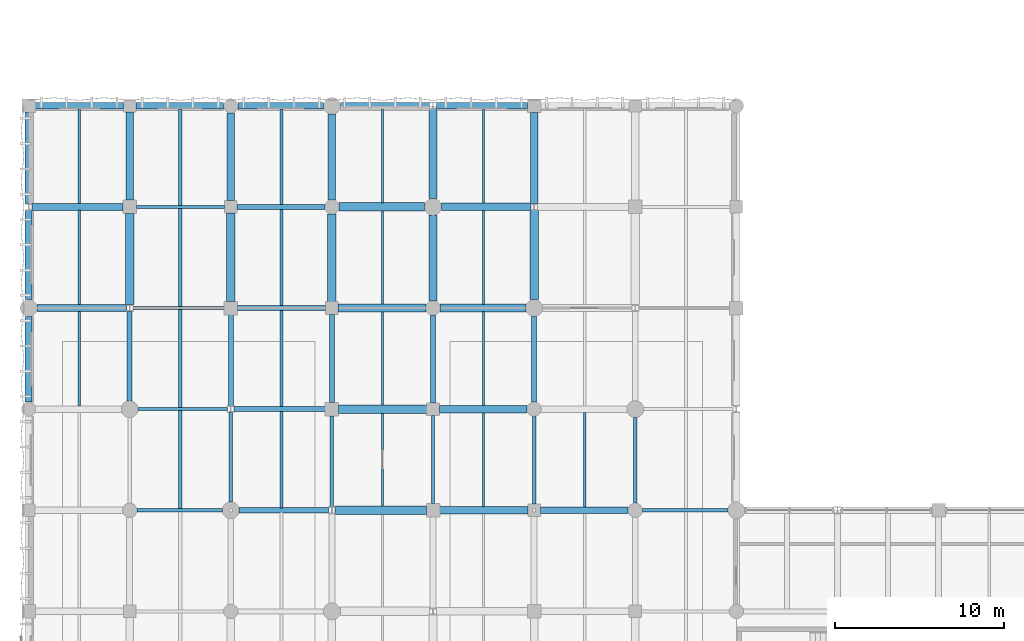
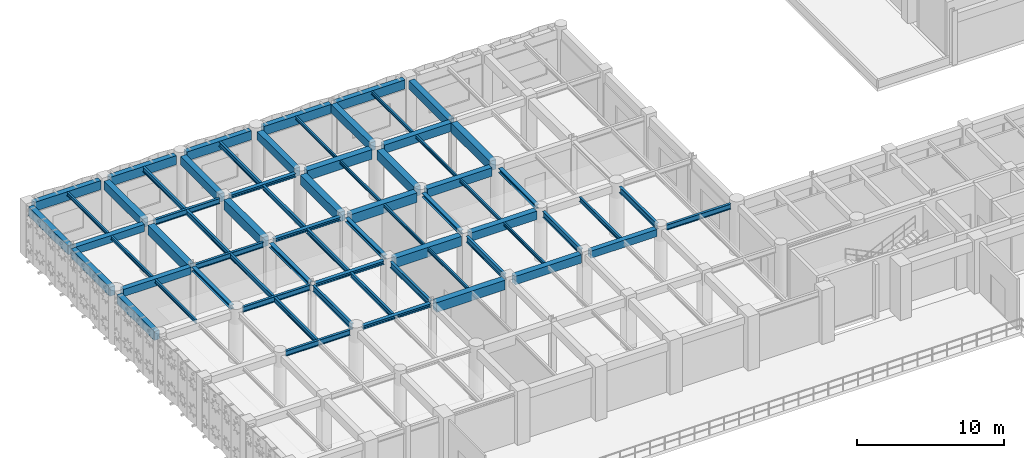
# One storey, part 33 of 133: 68 beams.
"""IFC4 building model written with IfcOpenShell, lengths in metres."""

from ifc_helpers import new_model, si_unit, direction, frame, origin, origin_2d, place, context, subcontext, project, spatial, rectangle, i_section, extrude, material, material_profile, profile_set, type_object, element, save


model = new_model("IFC4")

# Units and contexts
model_context = context("Model", 3, precision=1e-05, world=origin(), true_north=direction((0.0, 1.0)))
body_context = subcontext(model_context, "Body", "Model", "MODEL_VIEW")
ifc_project = project(units=[si_unit("LENGTHUNIT", "METRE"), si_unit("AREAUNIT", "SQUARE_METRE"), si_unit("VOLUMEUNIT", "CUBIC_METRE"), si_unit("PLANEANGLEUNIT", "RADIAN"), si_unit("MASSUNIT", "GRAM", prefix="KILO"), si_unit("THERMODYNAMICTEMPERATUREUNIT", "KELVIN"), si_unit("POWERUNIT", "WATT")], contexts=[model_context])

# Site, building, storey
site_placement = place(None, origin())
site = spatial("IfcSite", under=ifc_project, at=site_placement, CompositionType="ELEMENT")
building_placement = place(site_placement, origin())
building = spatial("IfcBuilding", under=site, at=building_placement, Name="Phaisarnlok Congress Hotel", CompositionType="ELEMENT")
storey_placement = place(building_placement, frame((0.0, 0.0, 6.0)))
storey = spatial("IfcBuildingStorey", under=building, at=storey_placement, Name="L01", CompositionType="ELEMENT", Elevation=6.0)

# Beams
ifc_material_1 = material(Name="Concrete C40/50", Category="concrete")
ifc_material_profile_1 = material_profile(ifc_material_1, rectangle(XDim=0.39990234375, YDim=0.60009765625, at=origin_2d()), Name="RC 400x600")
ifc_profile_set_1 = profile_set([ifc_material_profile_1], Name="Concrete C40/50")
beam_type_1 = type_object("IfcBeamType", Name="BM-RC-400x600", PredefinedType="BEAM", material=ifc_profile_set_1)
beam_1_placement = place(storey_placement, frame((0.4951171875, 108.0, 3.919921875), z_axis=(1.0, 0.0, 0.0), x_axis=(0.0, 1.0, 0.0)))
element("IfcBeam", 1, at=beam_1_placement, inside=storey, type_object=beam_type_1, Name="Beam B-02", PredefinedType="BEAM", context=body_context, shape_type="SweptSolid", body=[
    extrude(rectangle(XDim=0.39990234375, YDim=0.60009765625, at=origin_2d()), origin(), (0.0, 0.0, 1.0), 5.309326171875),
])
beam_2_placement = place(storey_placement, frame((0.195556640625, 114.0, 3.919921875), z_axis=(1.0, 0.0, 0.0), x_axis=(0.0, 1.0, 0.0)))
element("IfcBeam", 2, at=beam_2_placement, inside=storey, type_object=beam_type_1, Name="Beam B-02", PredefinedType="BEAM", context=body_context, shape_type="SweptSolid", body=[
    extrude(rectangle(XDim=0.39990234375, YDim=0.60009765625, at=origin_2d()), origin(), (0.0, 0.0, 1.0), 5.409423828125),
])
beam_3_placement = place(storey_placement, frame((30.3701171875, 96.0, 3.919921875), z_axis=(1.0, 0.0, 0.0), x_axis=(0.0, 1.0, 0.0)))
element("IfcBeam", 3, at=beam_3_placement, inside=storey, type_object=beam_type_1, Name="Beam B-02", PredefinedType="BEAM", context=body_context, shape_type="SweptSolid", body=[
    extrude(rectangle(XDim=0.39990234375, YDim=0.60009765625, at=origin_2d()), origin(), (0.0, 0.0, 1.0), 5.2099609375),
])
ifc_material_profile_2 = material_profile(ifc_material_1, rectangle(XDim=0.449951171875, YDim=0.699951171875, at=origin_2d()), Name="RC 450x700")
ifc_profile_set_2 = profile_set([ifc_material_profile_2], Name="Concrete C40/50")
beam_type_2 = type_object("IfcBeamType", Name="BM-RC-450x700", PredefinedType="BEAM", material=ifc_profile_set_2)
beam_4_placement = place(storey_placement, frame((6.0, 114.39501953125, 3.8701171875), z_axis=(0.0, 1.0, 0.0), x_axis=(-1.0, 0.0, 0.0)))
element("IfcBeam", 4, at=beam_4_placement, inside=storey, type_object=beam_type_2, Name="Beam B-03", PredefinedType="BEAM", context=body_context, shape_type="SweptSolid", body=[
    extrude(rectangle(XDim=0.449951171875, YDim=0.699951171875, at=origin_2d()), origin(), (0.0, 0.0, 1.0), 5.23486328125),
])
beam_5_placement = place(storey_placement, frame((12.0, 114.3701171875, 3.8701171875), z_axis=(0.0, 1.0, 0.0), x_axis=(-1.0, 0.0, 0.0)))
element("IfcBeam", 5, at=beam_5_placement, inside=storey, type_object=beam_type_2, Name="Beam B-03", PredefinedType="BEAM", context=body_context, shape_type="SweptSolid", body=[
    extrude(rectangle(XDim=0.449951171875, YDim=0.699951171875, at=origin_2d()), origin(), (0.0, 0.0, 1.0), 5.2099609375),
])
beam_6_placement = place(storey_placement, frame((18.0, 114.419921875, 3.8701171875), z_axis=(0.0, 1.0, 0.0), x_axis=(-1.0, 0.0, 0.0)))
element("IfcBeam", 6, at=beam_6_placement, inside=storey, type_object=beam_type_2, Name="Beam B-03", PredefinedType="BEAM", context=body_context, shape_type="SweptSolid", body=[
    extrude(rectangle(XDim=0.449951171875, YDim=0.699951171875, at=origin_2d()), origin(), (0.0, 0.0, 1.0), 5.0849609375),
])
beam_7_placement = place(storey_placement, frame((24.39501953125, 96.0, 3.8701171875), z_axis=(1.0, 0.0, 0.0), x_axis=(0.0, 1.0, 0.0)))
element("IfcBeam", 7, at=beam_7_placement, inside=storey, type_object=beam_type_2, Name="Beam B-03", PredefinedType="BEAM", context=body_context, shape_type="SweptSolid", body=[
    extrude(rectangle(XDim=0.449951171875, YDim=0.699951171875, at=origin_2d()), origin(), (0.0, 0.0, 1.0), 5.23486328125),
])
beam_8_placement = place(storey_placement, frame((24.3701171875, 102.0, 3.8701171875), z_axis=(1.0, 0.0, 0.0), x_axis=(0.0, 1.0, 0.0)))
element("IfcBeam", 8, at=beam_8_placement, inside=storey, type_object=beam_type_2, Name="Beam B-03", PredefinedType="BEAM", context=body_context, shape_type="SweptSolid", body=[
    extrude(rectangle(XDim=0.449951171875, YDim=0.699951171875, at=origin_2d()), origin(), (0.0, 0.0, 1.0), 5.2099609375),
])
beam_9_placement = place(storey_placement, frame((24.419921875, 108.0, 3.8701171875), z_axis=(1.0, 0.0, 0.0), x_axis=(0.0, 1.0, 0.0)))
element("IfcBeam", 9, at=beam_9_placement, inside=storey, type_object=beam_type_2, Name="Beam B-03", PredefinedType="BEAM", context=body_context, shape_type="SweptSolid", body=[
    extrude(rectangle(XDim=0.449951171875, YDim=0.699951171875, at=origin_2d()), origin(), (0.0, 0.0, 1.0), 5.0849609375),
])
beam_10_placement = place(storey_placement, frame((24.4951171875, 114.0, 3.8701171875), z_axis=(1.0, 0.0, 0.0), x_axis=(0.0, 1.0, 0.0)))
element("IfcBeam", 10, at=beam_10_placement, inside=storey, type_object=beam_type_2, Name="Beam B-03", PredefinedType="BEAM", context=body_context, shape_type="SweptSolid", body=[
    extrude(rectangle(XDim=0.449951171875, YDim=0.699951171875, at=origin_2d()), origin(), (0.0, 0.0, 1.0), 5.309326171875),
])
beam_11_placement = place(storey_placement, frame((24.0, 114.4951171875, 3.8701171875), z_axis=(0.0, 1.0, 0.0), x_axis=(-1.0, 0.0, 0.0)))
element("IfcBeam", 11, at=beam_11_placement, inside=storey, type_object=beam_type_2, Name="Beam B-03", PredefinedType="BEAM", context=body_context, shape_type="SweptSolid", body=[
    extrude(rectangle(XDim=0.449951171875, YDim=0.699951171875, at=origin_2d()), origin(), (0.0, 0.0, 1.0), 5.310302734375),
])
beam_12_placement = place(storey_placement, frame((30.0, 114.194580078125, 3.8701171875), z_axis=(0.0, 1.0, 0.0), x_axis=(-1.0, 0.0, 0.0)))
element("IfcBeam", 12, at=beam_12_placement, inside=storey, type_object=beam_type_2, Name="Beam B-03", PredefinedType="BEAM", context=body_context, shape_type="SweptSolid", body=[
    extrude(rectangle(XDim=0.449951171875, YDim=0.699951171875, at=origin_2d()), origin(), (0.0, 0.0, 1.0), 5.410400390625),
])
ifc_material_profile_3 = material_profile(ifc_material_1, rectangle(XDim=0.5, YDim=0.800048828125, at=origin_2d()), Name="RC 500x800")
ifc_profile_set_3 = profile_set([ifc_material_profile_3], Name="Concrete C40/50")
beam_type_3 = type_object("IfcBeamType", Name="BM-RC-500x800", PredefinedType="BEAM", material=ifc_profile_set_3)
beam_13_placement = place(storey_placement, frame((6.0, 108.194580078125, 3.820068359375), z_axis=(0.0, 1.0, 0.0), x_axis=(-1.0, 0.0, 0.0)))
element("IfcBeam", 13, at=beam_13_placement, inside=storey, type_object=beam_type_3, Name="Beam B-04", PredefinedType="BEAM", context=body_context, shape_type="SweptSolid", body=[
    extrude(rectangle(XDim=0.5, YDim=0.800048828125, at=origin_2d()), origin(), (0.0, 0.0, 1.0), 5.410400390625),
])
beam_14_placement = place(storey_placement, frame((12.0, 108.39501953125, 3.820068359375), z_axis=(0.0, 1.0, 0.0), x_axis=(-1.0, 0.0, 0.0)))
element("IfcBeam", 14, at=beam_14_placement, inside=storey, type_object=beam_type_3, Name="Beam B-04", PredefinedType="BEAM", context=body_context, shape_type="SweptSolid", body=[
    extrude(rectangle(XDim=0.5, YDim=0.800048828125, at=origin_2d()), origin(), (0.0, 0.0, 1.0), 5.23486328125),
])
beam_15_placement = place(storey_placement, frame((18.195556640625, 96.0, 3.820068359375), z_axis=(1.0, 0.0, 0.0), x_axis=(0.0, 1.0, 0.0)))
element("IfcBeam", 15, at=beam_15_placement, inside=storey, type_object=beam_type_3, Name="Beam B-04", PredefinedType="BEAM", context=body_context, shape_type="SweptSolid", body=[
    extrude(rectangle(XDim=0.5, YDim=0.800048828125, at=origin_2d()), origin(), (0.0, 0.0, 1.0), 5.409423828125),
])
beam_16_placement = place(storey_placement, frame((18.39501953125, 102.0, 3.820068359375), z_axis=(1.0, 0.0, 0.0), x_axis=(0.0, 1.0, 0.0)))
element("IfcBeam", 16, at=beam_16_placement, inside=storey, type_object=beam_type_3, Name="Beam B-04", PredefinedType="BEAM", context=body_context, shape_type="SweptSolid", body=[
    extrude(rectangle(XDim=0.5, YDim=0.800048828125, at=origin_2d()), origin(), (0.0, 0.0, 1.0), 5.23486328125),
])
for number, where, z_axis, x_axis, name in (
    (17, (18.3701171875, 108.0, 3.820068359375), (1.0, 0.0, 0.0), (0.0, 1.0, 0.0), "Beam B-04"),
    (18, (18.0, 108.3701171875, 3.820068359375), (0.0, 1.0, 0.0), (-1.0, 0.0, 0.0), "Beam B-04"),
):
    element("IfcBeam", number, at=place(storey_placement, frame(where, z_axis=z_axis, x_axis=x_axis)), inside=storey, type_object=beam_type_3, Name=name, PredefinedType="BEAM", context=body_context, shape_type="SweptSolid", body=[
        extrude(rectangle(XDim=0.5, YDim=0.800048828125, at=origin_2d()), origin(), (0.0, 0.0, 1.0), 5.2099609375),
    ])
for number, where, z_axis, x_axis, name in (
    (19, (18.419921875, 114.0, 3.820068359375), (1.0, 0.0, 0.0), (0.0, 1.0, 0.0), "Beam B-04"),
    (20, (24.0, 108.419921875, 3.820068359375), (0.0, 1.0, 0.0), (-1.0, 0.0, 0.0), "Beam B-04"),
):
    element("IfcBeam", number, at=place(storey_placement, frame(where, z_axis=z_axis, x_axis=x_axis)), inside=storey, type_object=beam_type_3, Name=name, PredefinedType="BEAM", context=body_context, shape_type="SweptSolid", body=[
        extrude(rectangle(XDim=0.5, YDim=0.800048828125, at=origin_2d()), origin(), (0.0, 0.0, 1.0), 5.0849609375),
    ])
beam_17_placement = place(storey_placement, frame((30.0, 108.4951171875, 3.820068359375), z_axis=(0.0, 1.0, 0.0), x_axis=(-1.0, 0.0, 0.0)))
element("IfcBeam", 21, at=beam_17_placement, inside=storey, type_object=beam_type_3, Name="Beam B-04", PredefinedType="BEAM", context=body_context, shape_type="SweptSolid", body=[
    extrude(rectangle(XDim=0.5, YDim=0.800048828125, at=origin_2d()), origin(), (0.0, 0.0, 1.0), 5.310302734375),
])
ifc_material_2 = material(Name="Steel S355", Category="steel")
ifc_material_profile_4 = material_profile(ifc_material_2, i_section(OverallWidth=0.300048828125, OverallDepth=0.2900390625, WebThickness=0.008544921875, FlangeThickness=0.013916015625, FilletRadius=0.027099609375, at=origin_2d()), Name="HEA 300")
ifc_profile_set_4 = profile_set([ifc_material_profile_4], Name="Steel S355")
beam_type_4 = type_object("IfcBeamType", Name="BM-STL-HEA300", PredefinedType="BEAM", material=ifc_profile_set_4)
beam_18_placement = place(storey_placement, frame((12.4951171875, 96.0, 4.074951171875), z_axis=(1.0, 0.0, 0.0), x_axis=(0.0, 1.0, 0.0)))
element("IfcBeam", 22, at=beam_18_placement, inside=storey, type_object=beam_type_4, Name="Beam SB-05", PredefinedType="BEAM", context=body_context, shape_type="SweptSolid", body=[
    extrude(i_section(OverallWidth=0.300048828125, OverallDepth=0.2900390625, WebThickness=0.008544921875, FlangeThickness=0.013916015625, FilletRadius=0.027099609375, at=origin_2d()), origin(), (0.0, 0.0, 1.0), 5.309326171875),
])
beam_19_placement = place(storey_placement, frame((12.195556640625, 102.0, 4.074951171875), z_axis=(1.0, 0.0, 0.0), x_axis=(0.0, 1.0, 0.0)))
element("IfcBeam", 23, at=beam_19_placement, inside=storey, type_object=beam_type_4, Name="Beam SB-05", PredefinedType="BEAM", context=body_context, shape_type="SweptSolid", body=[
    extrude(i_section(OverallWidth=0.300048828125, OverallDepth=0.2900390625, WebThickness=0.008544921875, FlangeThickness=0.013916015625, FilletRadius=0.027099609375, at=origin_2d()), origin(), (0.0, 0.0, 1.0), 5.409423828125),
])
beam_20_placement = place(storey_placement, frame((12.39501953125, 108.0, 4.074951171875), z_axis=(1.0, 0.0, 0.0), x_axis=(0.0, 1.0, 0.0)))
element("IfcBeam", 24, at=beam_20_placement, inside=storey, type_object=beam_type_4, Name="Beam SB-05", PredefinedType="BEAM", context=body_context, shape_type="SweptSolid", body=[
    extrude(i_section(OverallWidth=0.300048828125, OverallDepth=0.2900390625, WebThickness=0.008544921875, FlangeThickness=0.013916015625, FilletRadius=0.027099609375, at=origin_2d()), origin(), (0.0, 0.0, 1.0), 5.23486328125),
])
beam_21_placement = place(storey_placement, frame((12.3701171875, 114.0, 4.074951171875), z_axis=(1.0, 0.0, 0.0), x_axis=(0.0, 1.0, 0.0)))
element("IfcBeam", 25, at=beam_21_placement, inside=storey, type_object=beam_type_4, Name="Beam SB-05", PredefinedType="BEAM", context=body_context, shape_type="SweptSolid", body=[
    extrude(i_section(OverallWidth=0.300048828125, OverallDepth=0.2900390625, WebThickness=0.008544921875, FlangeThickness=0.013916015625, FilletRadius=0.027099609375, at=origin_2d()), origin(), (0.0, 0.0, 1.0), 5.2099609375),
])
ifc_material_profile_5 = material_profile(ifc_material_2, i_section(OverallWidth=0.300048828125, OverallDepth=0.340087890625, WebThickness=0.011962890625, FlangeThickness=0.021484375, FilletRadius=0.027099609375, at=origin_2d()), Name="HEB 340")
ifc_profile_set_5 = profile_set([ifc_material_profile_5], Name="Steel S355")
beam_type_5 = type_object("IfcBeamType", Name="BM-STL-HEB340", PredefinedType="BEAM", material=ifc_profile_set_5)
beam_22_placement = place(storey_placement, frame((6.0, 102.4951171875, 4.050048828125), z_axis=(0.0, 1.0, 0.0), x_axis=(-1.0, 0.0, 0.0)))
element("IfcBeam", 26, at=beam_22_placement, inside=storey, type_object=beam_type_5, Name="Beam SB-07", PredefinedType="BEAM", context=body_context, shape_type="SweptSolid", body=[
    extrude(i_section(OverallWidth=0.300048828125, OverallDepth=0.340087890625, WebThickness=0.011962890625, FlangeThickness=0.021484375, FilletRadius=0.027099609375, at=origin_2d()), origin(), (0.0, 0.0, 1.0), 5.310302734375),
])
beam_23_placement = place(storey_placement, frame((12.0, 102.194580078125, 4.050048828125), z_axis=(0.0, 1.0, 0.0), x_axis=(-1.0, 0.0, 0.0)))
element("IfcBeam", 27, at=beam_23_placement, inside=storey, type_object=beam_type_5, Name="Beam SB-07", PredefinedType="BEAM", context=body_context, shape_type="SweptSolid", body=[
    extrude(i_section(OverallWidth=0.300048828125, OverallDepth=0.340087890625, WebThickness=0.011962890625, FlangeThickness=0.021484375, FilletRadius=0.027099609375, at=origin_2d()), origin(), (0.0, 0.0, 1.0), 5.410400390625),
])
beam_24_placement = place(storey_placement, frame((18.0, 102.39501953125, 4.050048828125), z_axis=(0.0, 1.0, 0.0), x_axis=(-1.0, 0.0, 0.0)))
element("IfcBeam", 28, at=beam_24_placement, inside=storey, type_object=beam_type_5, Name="Beam SB-07", PredefinedType="BEAM", context=body_context, shape_type="SweptSolid", body=[
    extrude(i_section(OverallWidth=0.300048828125, OverallDepth=0.340087890625, WebThickness=0.011962890625, FlangeThickness=0.021484375, FilletRadius=0.027099609375, at=origin_2d()), origin(), (0.0, 0.0, 1.0), 5.23486328125),
])
beam_25_placement = place(storey_placement, frame((24.0, 102.3701171875, 4.050048828125), z_axis=(0.0, 1.0, 0.0), x_axis=(-1.0, 0.0, 0.0)))
element("IfcBeam", 29, at=beam_25_placement, inside=storey, type_object=beam_type_5, Name="Beam SB-07", PredefinedType="BEAM", context=body_context, shape_type="SweptSolid", body=[
    extrude(i_section(OverallWidth=0.300048828125, OverallDepth=0.340087890625, WebThickness=0.011962890625, FlangeThickness=0.021484375, FilletRadius=0.027099609375, at=origin_2d()), origin(), (0.0, 0.0, 1.0), 5.2099609375),
])
beam_26_placement = place(storey_placement, frame((30.0, 102.419921875, 4.050048828125), z_axis=(0.0, 1.0, 0.0), x_axis=(-1.0, 0.0, 0.0)))
element("IfcBeam", 30, at=beam_26_placement, inside=storey, type_object=beam_type_5, Name="Beam SB-07", PredefinedType="BEAM", context=body_context, shape_type="SweptSolid", body=[
    extrude(i_section(OverallWidth=0.300048828125, OverallDepth=0.340087890625, WebThickness=0.011962890625, FlangeThickness=0.021484375, FilletRadius=0.027099609375, at=origin_2d()), origin(), (0.0, 0.0, 1.0), 5.0849609375),
])
ifc_material_profile_6 = material_profile(ifc_material_2, i_section(OverallWidth=0.18994140625, OverallDepth=0.449951171875, WebThickness=0.009521484375, FlangeThickness=0.0146484375, FilletRadius=0.02099609375, at=origin_2d()), Name="IPE 450")
ifc_profile_set_6 = profile_set([ifc_material_profile_6], Name="Steel S355")
beam_type_6 = type_object("IfcBeamType", Name="BM-STL-IPE450", PredefinedType="BEAM", material=ifc_profile_set_6)
beam_27_placement = place(storey_placement, frame((6.419921875, 96.0, 3.9951171875), z_axis=(1.0, 0.0, 0.0), x_axis=(0.0, 1.0, 0.0)))
element("IfcBeam", 31, at=beam_27_placement, inside=storey, type_object=beam_type_6, Name="Beam SB-01", PredefinedType="BEAM", context=body_context, shape_type="SweptSolid", body=[
    extrude(i_section(OverallWidth=0.18994140625, OverallDepth=0.449951171875, WebThickness=0.009521484375, FlangeThickness=0.0146484375, FilletRadius=0.02099609375, at=origin_2d()), origin(), (0.0, 0.0, 1.0), 5.0849609375),
])
beam_28_placement = place(storey_placement, frame((6.4951171875, 102.0, 3.9951171875), z_axis=(1.0, 0.0, 0.0), x_axis=(0.0, 1.0, 0.0)))
element("IfcBeam", 32, at=beam_28_placement, inside=storey, type_object=beam_type_6, Name="Beam SB-01", PredefinedType="BEAM", context=body_context, shape_type="SweptSolid", body=[
    extrude(i_section(OverallWidth=0.18994140625, OverallDepth=0.449951171875, WebThickness=0.009521484375, FlangeThickness=0.0146484375, FilletRadius=0.02099609375, at=origin_2d()), origin(), (0.0, 0.0, 1.0), 5.309326171875),
])
beam_29_placement = place(storey_placement, frame((6.195556640625, 108.0, 3.9951171875), z_axis=(1.0, 0.0, 0.0), x_axis=(0.0, 1.0, 0.0)))
element("IfcBeam", 33, at=beam_29_placement, inside=storey, type_object=beam_type_6, Name="Beam SB-01", PredefinedType="BEAM", context=body_context, shape_type="SweptSolid", body=[
    extrude(i_section(OverallWidth=0.18994140625, OverallDepth=0.449951171875, WebThickness=0.009521484375, FlangeThickness=0.0146484375, FilletRadius=0.02099609375, at=origin_2d()), origin(), (0.0, 0.0, 1.0), 5.409423828125),
])
beam_30_placement = place(storey_placement, frame((6.39501953125, 114.0, 3.9951171875), z_axis=(1.0, 0.0, 0.0), x_axis=(0.0, 1.0, 0.0)))
element("IfcBeam", 34, at=beam_30_placement, inside=storey, type_object=beam_type_6, Name="Beam SB-01", PredefinedType="BEAM", context=body_context, shape_type="SweptSolid", body=[
    extrude(i_section(OverallWidth=0.18994140625, OverallDepth=0.449951171875, WebThickness=0.009521484375, FlangeThickness=0.0146484375, FilletRadius=0.02099609375, at=origin_2d()), origin(), (0.0, 0.0, 1.0), 5.23486328125),
])
beam_31_placement = place(storey_placement, frame((36.419921875, 96.0, 3.9951171875), z_axis=(1.0, 0.0, 0.0), x_axis=(0.0, 1.0, 0.0)))
element("IfcBeam", 35, at=beam_31_placement, inside=storey, type_object=beam_type_6, Name="Beam SB-01", PredefinedType="BEAM", context=body_context, shape_type="SweptSolid", body=[
    extrude(i_section(OverallWidth=0.18994140625, OverallDepth=0.449951171875, WebThickness=0.009521484375, FlangeThickness=0.0146484375, FilletRadius=0.02099609375, at=origin_2d()), origin(), (0.0, 0.0, 1.0), 5.0849609375),
])
ifc_material_profile_7 = material_profile(ifc_material_2, i_section(OverallWidth=0.199951171875, OverallDepth=0.5, WebThickness=0.01025390625, FlangeThickness=0.01611328125, FilletRadius=0.02099609375, at=origin_2d()), Name="IPE 500")
ifc_profile_set_7 = profile_set([ifc_material_profile_7], Name="Steel S355")
beam_type_7 = type_object("IfcBeamType", Name="BM-STL-IPE500", PredefinedType="BEAM", material=ifc_profile_set_7)
beam_32_placement = place(storey_placement, frame((12.0, 96.4951171875, 3.969970703125), z_axis=(0.0, 1.0, 0.0), x_axis=(-1.0, 0.0, 0.0)))
element("IfcBeam", 36, at=beam_32_placement, inside=storey, type_object=beam_type_7, Name="Beam SB-02", PredefinedType="BEAM", context=body_context, shape_type="SweptSolid", body=[
    extrude(i_section(OverallWidth=0.199951171875, OverallDepth=0.5, WebThickness=0.01025390625, FlangeThickness=0.01611328125, FilletRadius=0.02099609375, at=origin_2d()), origin(), (0.0, 0.0, 1.0), 5.310302734375),
])
beam_33_placement = place(storey_placement, frame((18.0, 96.194580078125, 3.969970703125), z_axis=(0.0, 1.0, 0.0), x_axis=(-1.0, 0.0, 0.0)))
element("IfcBeam", 37, at=beam_33_placement, inside=storey, type_object=beam_type_7, Name="Beam SB-02", PredefinedType="BEAM", context=body_context, shape_type="SweptSolid", body=[
    extrude(i_section(OverallWidth=0.199951171875, OverallDepth=0.5, WebThickness=0.01025390625, FlangeThickness=0.01611328125, FilletRadius=0.02099609375, at=origin_2d()), origin(), (0.0, 0.0, 1.0), 5.410400390625),
])
beam_34_placement = place(storey_placement, frame((24.0, 96.39501953125, 3.969970703125), z_axis=(0.0, 1.0, 0.0), x_axis=(-1.0, 0.0, 0.0)))
element("IfcBeam", 38, at=beam_34_placement, inside=storey, type_object=beam_type_7, Name="Beam SB-02", PredefinedType="BEAM", context=body_context, shape_type="SweptSolid", body=[
    extrude(i_section(OverallWidth=0.199951171875, OverallDepth=0.5, WebThickness=0.01025390625, FlangeThickness=0.01611328125, FilletRadius=0.02099609375, at=origin_2d()), origin(), (0.0, 0.0, 1.0), 5.23486328125),
])
beam_35_placement = place(storey_placement, frame((30.0, 96.3701171875, 3.969970703125), z_axis=(0.0, 1.0, 0.0), x_axis=(-1.0, 0.0, 0.0)))
element("IfcBeam", 39, at=beam_35_placement, inside=storey, type_object=beam_type_7, Name="Beam SB-02", PredefinedType="BEAM", context=body_context, shape_type="SweptSolid", body=[
    extrude(i_section(OverallWidth=0.199951171875, OverallDepth=0.5, WebThickness=0.01025390625, FlangeThickness=0.01611328125, FilletRadius=0.02099609375, at=origin_2d()), origin(), (0.0, 0.0, 1.0), 5.2099609375),
])
beam_36_placement = place(storey_placement, frame((36.0, 96.419921875, 3.969970703125), z_axis=(0.0, 1.0, 0.0), x_axis=(-1.0, 0.0, 0.0)))
element("IfcBeam", 40, at=beam_36_placement, inside=storey, type_object=beam_type_7, Name="Beam SB-02", PredefinedType="BEAM", context=body_context, shape_type="SweptSolid", body=[
    extrude(i_section(OverallWidth=0.199951171875, OverallDepth=0.5, WebThickness=0.01025390625, FlangeThickness=0.01611328125, FilletRadius=0.02099609375, at=origin_2d()), origin(), (0.0, 0.0, 1.0), 5.0849609375),
])
ifc_material_profile_8 = material_profile(ifc_material_2, i_section(OverallWidth=0.135009765625, OverallDepth=0.27001953125, WebThickness=0.006591796875, FlangeThickness=0.01025390625, FilletRadius=0.014892578125, at=origin_2d()), Name="IPE 270")
ifc_profile_set_8 = profile_set([ifc_material_profile_8], Name="Steel S355")
beam_type_8 = type_object("IfcBeamType", Name="JS-STL-IPE270", PredefinedType="JOIST", material=ifc_profile_set_8)
for number, where, z_axis, x_axis, name in (
    (41, (21.0, 96.2451171875, 4.0849609375), (0.0, 1.0, 0.0), (-1.0, 0.0, 0.0), "Secondary floor joist J-02"),
    (42, (21.0, 102.2451171875, 4.0849609375), (0.0, 1.0, 0.0), (-1.0, 0.0, 0.0), "Secondary floor joist J-02"),
    (43, (21.0, 108.2451171875, 4.0849609375), (0.0, 1.0, 0.0), (-1.0, 0.0, 0.0), "Secondary floor joist J-02"),
):
    element("IfcBeam", number, at=place(storey_placement, frame(where, z_axis=z_axis, x_axis=x_axis)), inside=storey, type_object=beam_type_8, Name=name, PredefinedType="JOIST", context=body_context, shape_type="SweptSolid", body=[
        extrude(i_section(OverallWidth=0.135009765625, OverallDepth=0.27001953125, WebThickness=0.006591796875, FlangeThickness=0.01025390625, FilletRadius=0.014892578125, at=origin_2d()), origin(), (0.0, 0.0, 1.0), 5.509765625),
    ])
beam_37_placement = place(storey_placement, frame((21.0, 114.2451171875, 4.0849609375), z_axis=(0.0, 1.0, 0.0), x_axis=(-1.0, 0.0, 0.0)))
element("IfcBeam", 44, at=beam_37_placement, inside=storey, type_object=beam_type_8, Name="Secondary floor joist J-02", PredefinedType="JOIST", context=body_context, shape_type="SweptSolid", body=[
    extrude(i_section(OverallWidth=0.135009765625, OverallDepth=0.27001953125, WebThickness=0.006591796875, FlangeThickness=0.01025390625, FilletRadius=0.014892578125, at=origin_2d()), origin(), (0.0, 0.0, 1.0), 5.559814453125),
])
for number, where, z_axis, x_axis, name in (
    (45, (27.0, 96.219970703125, 4.0849609375), (0.0, 1.0, 0.0), (-1.0, 0.0, 0.0), "Secondary floor joist J-02"),
    (46, (27.0, 102.219970703125, 4.0849609375), (0.0, 1.0, 0.0), (-1.0, 0.0, 0.0), "Secondary floor joist J-02"),
    (47, (27.0, 108.219970703125, 4.0849609375), (0.0, 1.0, 0.0), (-1.0, 0.0, 0.0), "Secondary floor joist J-02"),
):
    element("IfcBeam", number, at=place(storey_placement, frame(where, z_axis=z_axis, x_axis=x_axis)), inside=storey, type_object=beam_type_8, Name=name, PredefinedType="JOIST", context=body_context, shape_type="SweptSolid", body=[
        extrude(i_section(OverallWidth=0.135009765625, OverallDepth=0.27001953125, WebThickness=0.006591796875, FlangeThickness=0.01025390625, FilletRadius=0.014892578125, at=origin_2d()), origin(), (0.0, 0.0, 1.0), 5.56005859375),
    ])
beam_38_placement = place(storey_placement, frame((27.0, 114.219970703125, 4.0849609375), z_axis=(0.0, 1.0, 0.0), x_axis=(-1.0, 0.0, 0.0)))
element("IfcBeam", 48, at=beam_38_placement, inside=storey, type_object=beam_type_8, Name="Secondary floor joist J-02", PredefinedType="JOIST", context=body_context, shape_type="SweptSolid", body=[
    extrude(i_section(OverallWidth=0.135009765625, OverallDepth=0.27001953125, WebThickness=0.006591796875, FlangeThickness=0.01025390625, FilletRadius=0.014892578125, at=origin_2d()), origin(), (0.0, 0.0, 1.0), 5.5849609375),
])
ifc_material_profile_9 = material_profile(ifc_material_2, i_section(OverallWidth=0.14990234375, OverallDepth=0.300048828125, WebThickness=0.007080078125, FlangeThickness=0.0107421875, FilletRadius=0.014892578125, at=origin_2d()), Name="IPE 300")
ifc_profile_set_9 = profile_set([ifc_material_profile_9], Name="Steel S355")
beam_type_9 = type_object("IfcBeamType", Name="JS-STL-IPE300", PredefinedType="JOIST", material=ifc_profile_set_9)
for number, where, z_axis, x_axis, name in (
    (49, (3.0, 102.195068359375, 4.070068359375), (0.0, 1.0, 0.0), (-1.0, 0.0, 0.0), "Secondary floor joist J-03"),
    (50, (3.0, 108.195068359375, 4.070068359375), (0.0, 1.0, 0.0), (-1.0, 0.0, 0.0), "Secondary floor joist J-03"),
    (51, (3.0, 114.195068359375, 4.070068359375), (0.0, 1.0, 0.0), (-1.0, 0.0, 0.0), "Secondary floor joist J-03"),
):
    element("IfcBeam", number, at=place(storey_placement, frame(where, z_axis=z_axis, x_axis=x_axis)), inside=storey, type_object=beam_type_9, Name=name, PredefinedType="JOIST", context=body_context, shape_type="SweptSolid", body=[
        extrude(i_section(OverallWidth=0.14990234375, OverallDepth=0.300048828125, WebThickness=0.007080078125, FlangeThickness=0.0107421875, FilletRadius=0.014892578125, at=origin_2d()), origin(), (0.0, 0.0, 1.0), 5.60986328125),
    ])
ifc_material_profile_10 = material_profile(ifc_material_2, i_section(OverallWidth=0.169921875, OverallDepth=0.360107421875, WebThickness=0.008056640625, FlangeThickness=0.0126953125, FilletRadius=0.01806640625, at=origin_2d()), Name="IPE 360")
ifc_profile_set_10 = profile_set([ifc_material_profile_10], Name="Steel S355")
beam_type_10 = type_object("IfcBeamType", Name="JS-STL-IPE360", PredefinedType="JOIST", material=ifc_profile_set_10)
beam_39_placement = place(storey_placement, frame((33.0, 96.195068359375, 4.0400390625), z_axis=(0.0, 1.0, 0.0), x_axis=(-1.0, 0.0, 0.0)))
element("IfcBeam", 52, at=beam_39_placement, inside=storey, type_object=beam_type_10, Name="Secondary floor joist J-04", PredefinedType="JOIST", context=body_context, shape_type="SweptSolid", body=[
    extrude(i_section(OverallWidth=0.169921875, OverallDepth=0.360107421875, WebThickness=0.008056640625, FlangeThickness=0.0126953125, FilletRadius=0.01806640625, at=origin_2d()), origin(), (0.0, 0.0, 1.0), 5.60986328125),
])
ifc_material_profile_11 = material_profile(ifc_material_2, i_section(OverallWidth=0.179931640625, OverallDepth=0.39990234375, WebThickness=0.008544921875, FlangeThickness=0.013427734375, FilletRadius=0.02099609375, at=origin_2d()), Name="IPE 400")
ifc_profile_set_11 = profile_set([ifc_material_profile_11], Name="Steel S355")
beam_type_11 = type_object("IfcBeamType", Name="JS-STL-IPE400", PredefinedType="JOIST", material=ifc_profile_set_11)
for number, where, z_axis, x_axis, name in (
    (53, (9.0, 96.090087890625, 4.02001953125), (0.0, 1.0, 0.0), (-1.0, 0.0, 0.0), "Secondary floor joist J-05"),
    (54, (9.0, 102.090087890625, 4.02001953125), (0.0, 1.0, 0.0), (-1.0, 0.0, 0.0), "Secondary floor joist J-05"),
    (55, (9.0, 108.090087890625, 4.02001953125), (0.0, 1.0, 0.0), (-1.0, 0.0, 0.0), "Secondary floor joist J-05"),
):
    element("IfcBeam", number, at=place(storey_placement, frame(where, z_axis=z_axis, x_axis=x_axis)), inside=storey, type_object=beam_type_11, Name=name, PredefinedType="JOIST", context=body_context, shape_type="SweptSolid", body=[
        extrude(i_section(OverallWidth=0.179931640625, OverallDepth=0.39990234375, WebThickness=0.008544921875, FlangeThickness=0.013427734375, FilletRadius=0.02099609375, at=origin_2d()), origin(), (0.0, 0.0, 1.0), 5.81982421875),
    ])
beam_40_placement = place(storey_placement, frame((9.0, 114.090087890625, 4.02001953125), z_axis=(0.0, 1.0, 0.0), x_axis=(-1.0, 0.0, 0.0)))
element("IfcBeam", 56, at=beam_40_placement, inside=storey, type_object=beam_type_11, Name="Secondary floor joist J-05", PredefinedType="JOIST", context=body_context, shape_type="SweptSolid", body=[
    extrude(i_section(OverallWidth=0.179931640625, OverallDepth=0.39990234375, WebThickness=0.008544921875, FlangeThickness=0.013427734375, FilletRadius=0.02099609375, at=origin_2d()), origin(), (0.0, 0.0, 1.0), 5.71484375),
])
for number, where, z_axis, x_axis, name in (
    (57, (15.0, 96.14501953125, 4.02001953125), (0.0, 1.0, 0.0), (-1.0, 0.0, 0.0), "Secondary floor joist J-05"),
    (58, (15.0, 102.14501953125, 4.02001953125), (0.0, 1.0, 0.0), (-1.0, 0.0, 0.0), "Secondary floor joist J-05"),
    (59, (15.0, 108.14501953125, 4.02001953125), (0.0, 1.0, 0.0), (-1.0, 0.0, 0.0), "Secondary floor joist J-05"),
):
    element("IfcBeam", number, at=place(storey_placement, frame(where, z_axis=z_axis, x_axis=x_axis)), inside=storey, type_object=beam_type_11, Name=name, PredefinedType="JOIST", context=body_context, shape_type="SweptSolid", body=[
        extrude(i_section(OverallWidth=0.179931640625, OverallDepth=0.39990234375, WebThickness=0.008544921875, FlangeThickness=0.013427734375, FilletRadius=0.02099609375, at=origin_2d()), origin(), (0.0, 0.0, 1.0), 5.7099609375),
    ])
beam_41_placement = place(storey_placement, frame((15.0, 114.14501953125, 4.02001953125), z_axis=(0.0, 1.0, 0.0), x_axis=(-1.0, 0.0, 0.0)))
element("IfcBeam", 60, at=beam_41_placement, inside=storey, type_object=beam_type_11, Name="Secondary floor joist J-05", PredefinedType="JOIST", context=body_context, shape_type="SweptSolid", body=[
    extrude(i_section(OverallWidth=0.179931640625, OverallDepth=0.39990234375, WebThickness=0.008544921875, FlangeThickness=0.013427734375, FilletRadius=0.02099609375, at=origin_2d()), origin(), (0.0, 0.0, 1.0), 5.659912109375),
])
ifc_material_profile_12 = material_profile(ifc_material_1, rectangle(XDim=0.39990234375, YDim=0.75, at=origin_2d()), Name="RC 400x750")
ifc_profile_set_12 = profile_set([ifc_material_profile_12], Name="Concrete C40/50")
beam_type_12 = type_object("IfcBeamType", Name="SP-RC-400x750", PredefinedType="SPANDREL", material=ifc_profile_set_12)
beam_42_placement = place(storey_placement, frame((0.0, 102.419921875, 3.844970703125), z_axis=(0.0, 1.0, 0.0), x_axis=(-1.0, 0.0, 0.0)))
element("IfcBeam", 61, at=beam_42_placement, inside=storey, type_object=beam_type_12, Name="Beam SP-02", PredefinedType="SPANDREL", context=body_context, shape_type="SweptSolid", body=[
    extrude(rectangle(XDim=0.39990234375, YDim=0.75, at=origin_2d()), origin(), (0.0, 0.0, 1.0), 5.0849609375),
])
beam_43_placement = place(storey_placement, frame((0.0, 108.4951171875, 3.844970703125), z_axis=(0.0, 1.0, 0.0), x_axis=(-1.0, 0.0, 0.0)))
element("IfcBeam", 62, at=beam_43_placement, inside=storey, type_object=beam_type_12, Name="Beam SP-02", PredefinedType="SPANDREL", context=body_context, shape_type="SweptSolid", body=[
    extrude(rectangle(XDim=0.39990234375, YDim=0.75, at=origin_2d()), origin(), (0.0, 0.0, 1.0), 5.310302734375),
])
beam_44_placement = place(storey_placement, frame((0.0, 114.194580078125, 3.844970703125), z_axis=(0.0, 1.0, 0.0), x_axis=(-1.0, 0.0, 0.0)))
element("IfcBeam", 63, at=beam_44_placement, inside=storey, type_object=beam_type_12, Name="Beam SP-02", PredefinedType="SPANDREL", context=body_context, shape_type="SweptSolid", body=[
    extrude(rectangle(XDim=0.39990234375, YDim=0.75, at=origin_2d()), origin(), (0.0, 0.0, 1.0), 5.410400390625),
])
beam_45_placement = place(storey_placement, frame((0.39501953125, 120.0, 3.844970703125), z_axis=(1.0, 0.0, 0.0), x_axis=(0.0, 1.0, 0.0)))
element("IfcBeam", 64, at=beam_45_placement, inside=storey, type_object=beam_type_12, Name="Beam SP-02", PredefinedType="SPANDREL", context=body_context, shape_type="SweptSolid", body=[
    extrude(rectangle(XDim=0.39990234375, YDim=0.75, at=origin_2d()), origin(), (0.0, 0.0, 1.0), 5.23486328125),
])
beam_46_placement = place(storey_placement, frame((6.3701171875, 120.0, 3.844970703125), z_axis=(1.0, 0.0, 0.0), x_axis=(0.0, 1.0, 0.0)))
element("IfcBeam", 65, at=beam_46_placement, inside=storey, type_object=beam_type_12, Name="Beam SP-02", PredefinedType="SPANDREL", context=body_context, shape_type="SweptSolid", body=[
    extrude(rectangle(XDim=0.39990234375, YDim=0.75, at=origin_2d()), origin(), (0.0, 0.0, 1.0), 5.2099609375),
])
beam_47_placement = place(storey_placement, frame((12.419921875, 120.0, 3.844970703125), z_axis=(1.0, 0.0, 0.0), x_axis=(0.0, 1.0, 0.0)))
element("IfcBeam", 66, at=beam_47_placement, inside=storey, type_object=beam_type_12, Name="Beam SP-02", PredefinedType="SPANDREL", context=body_context, shape_type="SweptSolid", body=[
    extrude(rectangle(XDim=0.39990234375, YDim=0.75, at=origin_2d()), origin(), (0.0, 0.0, 1.0), 5.0849609375),
])
beam_48_placement = place(storey_placement, frame((18.4951171875, 120.0, 3.844970703125), z_axis=(1.0, 0.0, 0.0), x_axis=(0.0, 1.0, 0.0)))
element("IfcBeam", 67, at=beam_48_placement, inside=storey, type_object=beam_type_12, Name="Beam SP-02", PredefinedType="SPANDREL", context=body_context, shape_type="SweptSolid", body=[
    extrude(rectangle(XDim=0.39990234375, YDim=0.75, at=origin_2d()), origin(), (0.0, 0.0, 1.0), 5.309326171875),
])
beam_49_placement = place(storey_placement, frame((24.195556640625, 120.0, 3.844970703125), z_axis=(1.0, 0.0, 0.0), x_axis=(0.0, 1.0, 0.0)))
element("IfcBeam", 68, at=beam_49_placement, inside=storey, type_object=beam_type_12, Name="Beam SP-02", PredefinedType="SPANDREL", context=body_context, shape_type="SweptSolid", body=[
    extrude(rectangle(XDim=0.39990234375, YDim=0.75, at=origin_2d()), origin(), (0.0, 0.0, 1.0), 5.409423828125),
])

save(model, "model.ifc")
